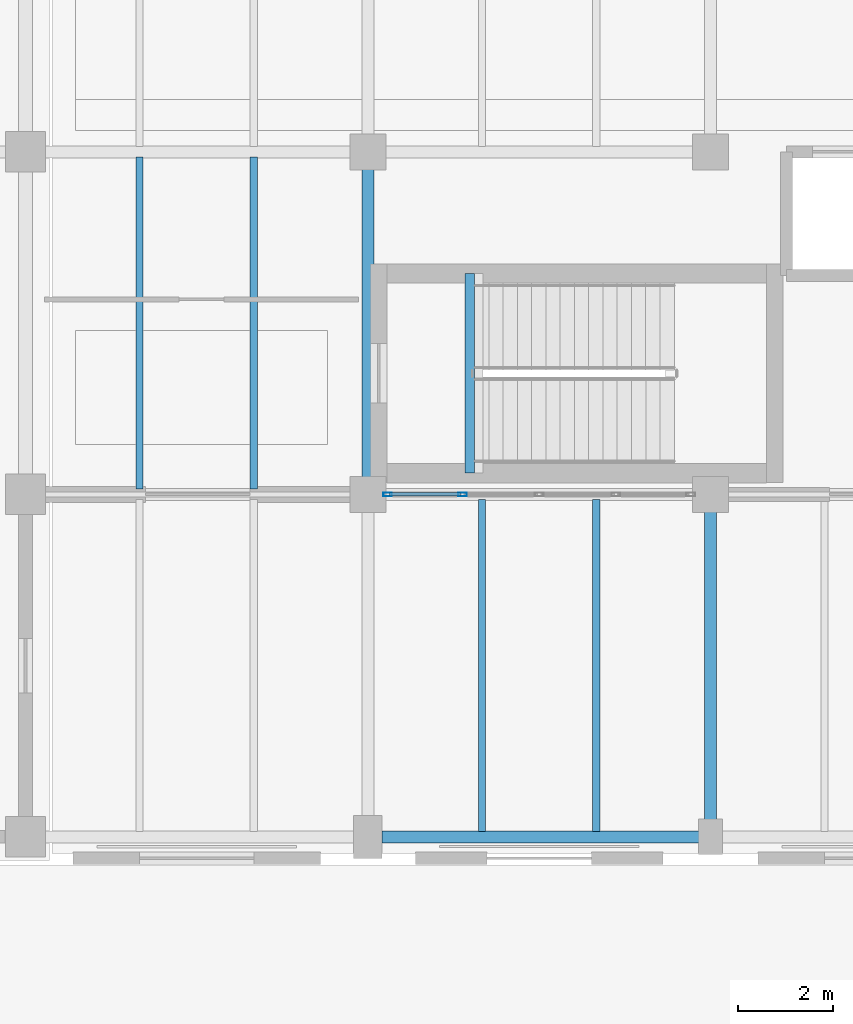
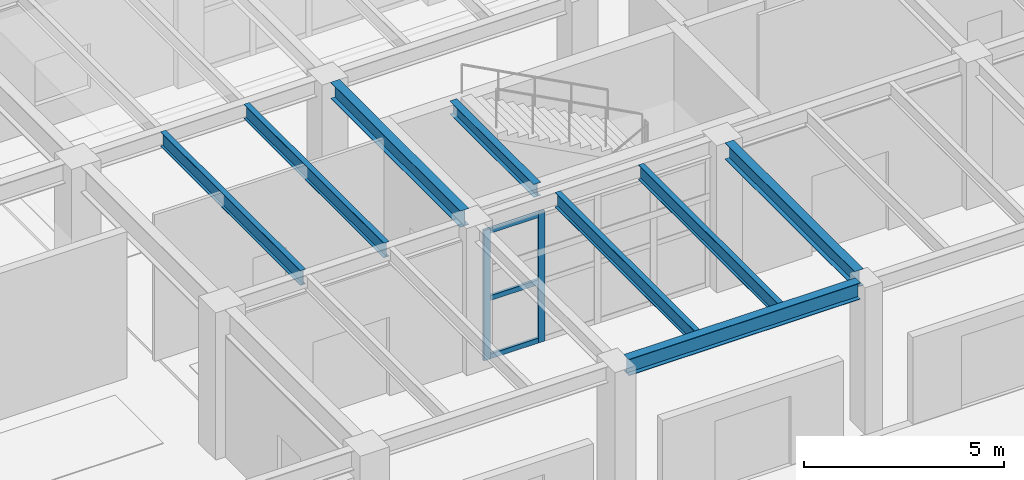
# One storey, part 7 of 39: 8 beams, 5 members, 1 element without a shape of its own.
"""IFC4 building model written with IfcOpenShell, lengths in metres."""

from ifc_helpers import new_model, si_unit, direction, frame, origin, origin_2d, place, context, subcontext, project, spatial, hollow_rectangle, i_section, extrude, material, layer, layer_set, material_profile, profile_set, type_object, element, aggregate, save


model = new_model("IFC4")

# Units and contexts
model_context = context("Model", 3, precision=1e-05, world=origin(), true_north=direction((0.0, 1.0)))
body_context = subcontext(model_context, "Body", "Model", "MODEL_VIEW")
ifc_project = project(units=[si_unit("LENGTHUNIT", "METRE"), si_unit("AREAUNIT", "SQUARE_METRE"), si_unit("VOLUMEUNIT", "CUBIC_METRE"), si_unit("PLANEANGLEUNIT", "RADIAN"), si_unit("MASSUNIT", "GRAM", prefix="KILO")], contexts=[model_context])

# Site, building, storey
site_placement = place(None, origin())
site = spatial("IfcSite", under=ifc_project, at=site_placement, CompositionType="ELEMENT")
building_placement = place(site_placement, origin())
building = spatial("IfcBuilding", under=site, at=building_placement, Name="Kandorven Conservatory and Botanical Research Centre", CompositionType="ELEMENT")
storey_placement = place(building_placement, origin())
storey = spatial("IfcBuildingStorey", under=building, at=storey_placement, Name="L00", CompositionType="ELEMENT", Elevation=0.0)

# Beams
ifc_material_1 = material(Name="Steel S355 (IS 2062 E350)", Category="steel")
ifc_material_profile_1 = material_profile(ifc_material_1, i_section(OverallWidth=0.25, OverallDepth=0.5, WebThickness=0.010009765625, FlangeThickness=0.0146484375, at=origin_2d()))
ifc_profile_set_1 = profile_set([ifc_material_profile_1], Name="Steel S355 (IS 2062 E350)")
beam_type_1 = type_object("IfcBeamType", Name="Beam_FG-02", PredefinedType="USERDEFINED", material=ifc_profile_set_1)
beam_1_placement = place(storey_placement, frame((49.489990234375, 6.0, 4.22998046875), z_axis=(1.0, 0.0, 0.0), x_axis=(0.0, 1.0, 0.0)))
element("IfcBeam", 1, at=beam_1_placement, inside=storey, type_object=beam_type_1, Name="Primary girder FG-02 VIS L00", ObjectType="GIRDER", PredefinedType="USERDEFINED", context=body_context, shape_type="SweptSolid", body=[
    extrude(i_section(OverallWidth=0.25, OverallDepth=0.5, WebThickness=0.010009765625, FlangeThickness=0.0146484375, at=origin_2d()), origin(), (0.0, 0.0, 1.0), 6.669921875),
])
for number, where, z_axis, x_axis, name in (
    (2, (49.199951171875, 13.56494140625, 4.22998046875), (0.0, 1.0, 0.0), (-1.0, 0.0, 0.0), "Primary girder FG-02 VIS L00"),
    (3, (56.39990234375, 6.364990234375, 4.22998046875), (0.0, 1.0, 0.0), (-1.0, 0.0, 0.0), "Primary girder FG-02 VIS L00"),
):
    element("IfcBeam", number, at=place(storey_placement, frame(where, z_axis=z_axis, x_axis=x_axis)), inside=storey, type_object=beam_type_1, Name=name, ObjectType="GIRDER", PredefinedType="USERDEFINED", context=body_context, shape_type="SweptSolid", body=[
        extrude(i_section(OverallWidth=0.25, OverallDepth=0.5, WebThickness=0.010009765625, FlangeThickness=0.0146484375, at=origin_2d()), origin(), (0.0, 0.0, 1.0), 6.469970703125),
    ])
ifc_material_2 = material(Name="Steel S355 (IS 2062 E350)", Category="steel")
ifc_material_profile_2 = material_profile(ifc_material_2, i_section(OverallWidth=0.199951171875, OverallDepth=0.39990234375, WebThickness=0.008544921875, FlangeThickness=0.012939453125, at=origin_2d()))
ifc_profile_set_2 = profile_set([ifc_material_profile_2], Name="Steel S355 (IS 2062 E350)")
beam_type_2 = type_object("IfcBeamType", Name="Beam_FG-03", PredefinedType="USERDEFINED", material=ifc_profile_set_2)
beam_2_placement = place(storey_placement, frame((51.340087890625, 13.64990234375, 4.280029296875), z_axis=(0.0, 1.0, 0.0), x_axis=(-1.0, 0.0, 0.0)))
element("IfcBeam", 4, at=beam_2_placement, inside=storey, type_object=beam_type_2, Name="Stair well top header girder FG-03 ST-V3A L00", ObjectType="GIRDER", PredefinedType="USERDEFINED", context=body_context, shape_type="SweptSolid", body=[
    extrude(i_section(OverallWidth=0.199951171875, OverallDepth=0.39990234375, WebThickness=0.008544921875, FlangeThickness=0.012939453125, at=origin_2d()), origin(), (0.0, 0.0, 1.0), 4.190185546875),
])
ifc_material_3 = material(Name="Steel S355 (IS 2062 E350)", Category="steel")
ifc_material_profile_3 = material_profile(ifc_material_3, i_section(OverallWidth=0.14990234375, OverallDepth=0.449951171875, WebThickness=0.009521484375, FlangeThickness=0.017333984375, at=origin_2d()))
ifc_profile_set_3 = profile_set([ifc_material_profile_3], Name="Steel S355 (IS 2062 E350)")
beam_type_3 = type_object("IfcBeamType", Name="Beam_SB-04", PredefinedType="BEAM", material=ifc_profile_set_3)
for number, where, z_axis, x_axis, name in (
    (5, (44.39990234375, 13.31005859375, 4.2548828125), (0.0, 1.0, 0.0), (-1.0, 0.0, 0.0), "Composite secondary beam SB-04 VIS L00"),
    (6, (46.800048828125, 13.31005859375, 4.2548828125), (0.0, 1.0, 0.0), (-1.0, 0.0, 0.0), "Composite secondary beam SB-04 VIS L00"),
    (7, (51.60009765625, 6.110107421875, 4.2548828125), (0.0, 1.0, 0.0), (-1.0, 0.0, 0.0), "Composite secondary beam SB-04 VIS L00"),
    (8, (54.0, 6.110107421875, 4.2548828125), (0.0, 1.0, 0.0), (-1.0, 0.0, 0.0), "Composite secondary beam SB-04 VIS L00"),
):
    element("IfcBeam", number, at=place(storey_placement, frame(where, z_axis=z_axis, x_axis=x_axis)), inside=storey, type_object=beam_type_3, Name=name, PredefinedType="BEAM", context=body_context, shape_type="SweptSolid", body=[
        extrude(i_section(OverallWidth=0.14990234375, OverallDepth=0.449951171875, WebThickness=0.009521484375, FlangeThickness=0.017333984375, at=origin_2d()), origin(), (0.0, 0.0, 1.0), 6.97998046875),
    ])

# Curtain wall, members
ifc_material_4 = material(Name="Bronze anodised thermally broken aluminium", Category="aluminium")
ifc_layer = layer(ifc_material_4, 0.179931640625)
ifc_layer_set = layer_set([ifc_layer], Name="Bronze anodised thermally broken aluminium")
curtain_wall_type = type_object("IfcCurtainWallType", Name="CW_Unitised", PredefinedType="USERDEFINED", material=ifc_layer_set)
curtain_wall_placement = place(storey_placement, origin())
curtain_wall = element("IfcCurtainWall", 9, at=curtain_wall_placement, inside=storey, type_object=curtain_wall_type, Name="Visitor wing unitised curtain wall CW-VIS-S-L00-2", ObjectType="UNITISED GLAZING", PredefinedType="USERDEFINED")
ifc_material_5 = material(Name="Bronze anodised thermally broken aluminium", Category="aluminium")
ifc_material_profile_4 = material_profile(ifc_material_5, hollow_rectangle(XDim=0.080078125, YDim=0.179931640625, WallThickness=0.006103515625, at=origin_2d()))
ifc_profile_set_4 = profile_set([ifc_material_profile_4], Name="Bronze anodised thermally broken aluminium")
member_type_1 = type_object("IfcMemberType", Name="CW_Mullion", PredefinedType="MULLION", material=ifc_profile_set_4)
member_1_placement = place(storey_placement, frame((49.614990234375, 13.199951171875, 0.0), z_axis=(0.0, 0.0, 1.0), x_axis=(0.0, 1.0, 0.0)))
member_1 = element("IfcMember", 10, at=member_1_placement, type_object=member_type_1, Name="CW-01 mullion 1", PredefinedType="MULLION", context=body_context, shape_type="SweptSolid", body=[
    extrude(hollow_rectangle(XDim=0.080078125, YDim=0.179931640625, WallThickness=0.006103515625, at=origin_2d()), origin(), (0.0, 0.0, 1.0), 3.969970703125),
])
member_2_placement = place(storey_placement, frame((51.1875, 13.199951171875, 0.0), z_axis=(0.0, 0.0, 1.0), x_axis=(0.0, 1.0, 0.0)))
member_2 = element("IfcMember", 11, at=member_2_placement, type_object=member_type_1, Name="CW-01 mullion 2", PredefinedType="MULLION", context=body_context, shape_type="SweptSolid", body=[
    extrude(hollow_rectangle(XDim=0.080078125, YDim=0.179931640625, WallThickness=0.006103515625, at=origin_2d()), origin(), (0.0, 0.0, 1.0), 3.969970703125),
])
ifc_material_6 = material(Name="Bronze anodised thermally broken aluminium", Category="aluminium")
ifc_material_profile_5 = material_profile(ifc_material_6, hollow_rectangle(XDim=0.074951171875, YDim=0.14990234375, WallThickness=0.006103515625, at=origin_2d()))
ifc_profile_set_5 = profile_set([ifc_material_profile_5], Name="Bronze anodised thermally broken aluminium")
member_type_2 = type_object("IfcMemberType", Name="CW_Transom", PredefinedType="USERDEFINED", material=ifc_profile_set_5)
member_3_placement = place(storey_placement, frame((49.655029296875, 13.199951171875, 0.074951171875), z_axis=(1.0, 0.0, 0.0), x_axis=(0.0, 1.0, 0.0)))
member_3 = element("IfcMember", 12, at=member_3_placement, type_object=member_type_2, Name="CW-01 transom 1.1", ObjectType="TRANSOM", PredefinedType="USERDEFINED", context=body_context, shape_type="SweptSolid", body=[
    extrude(hollow_rectangle(XDim=0.074951171875, YDim=0.14990234375, WallThickness=0.006103515625, at=origin_2d()), origin(), (0.0, 0.0, 1.0), 1.492431640625),
])
member_4_placement = place(storey_placement, frame((49.655029296875, 13.199951171875, 1.85009765625), z_axis=(1.0, 0.0, 0.0), x_axis=(0.0, 1.0, 0.0)))
member_4 = element("IfcMember", 13, at=member_4_placement, type_object=member_type_2, Name="CW-01 transom 1.2", ObjectType="TRANSOM", PredefinedType="USERDEFINED", context=body_context, shape_type="SweptSolid", body=[
    extrude(hollow_rectangle(XDim=0.074951171875, YDim=0.14990234375, WallThickness=0.006103515625, at=origin_2d()), origin(), (0.0, 0.0, 1.0), 1.492431640625),
])
member_5_placement = place(storey_placement, frame((49.655029296875, 13.199951171875, 3.89501953125), z_axis=(1.0, 0.0, 0.0), x_axis=(0.0, 1.0, 0.0)))
member_5 = element("IfcMember", 14, at=member_5_placement, type_object=member_type_2, Name="CW-01 transom 1.3", ObjectType="TRANSOM", PredefinedType="USERDEFINED", context=body_context, shape_type="SweptSolid", body=[
    extrude(hollow_rectangle(XDim=0.074951171875, YDim=0.14990234375, WallThickness=0.006103515625, at=origin_2d()), origin(), (0.0, 0.0, 1.0), 1.492431640625),
])
aggregate(curtain_wall, [member_1, member_2, member_3, member_4, member_5])

save(model, "model.ifc")
